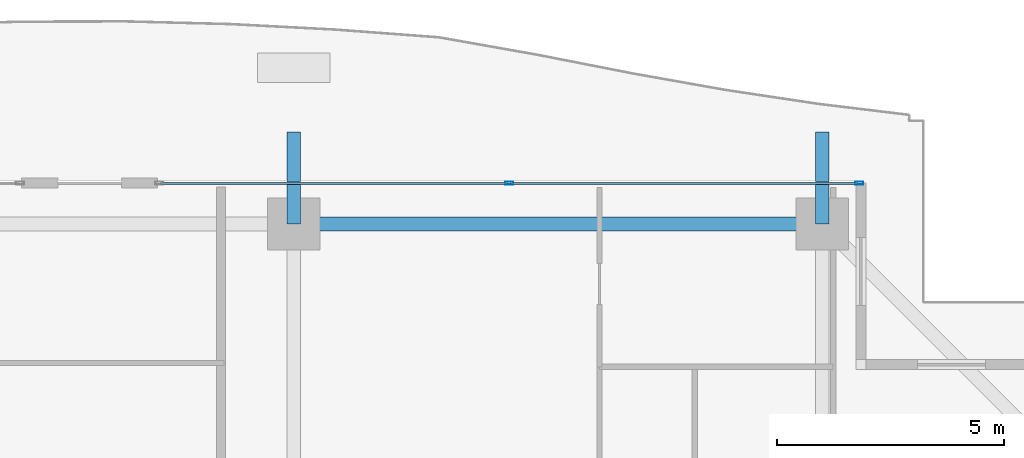
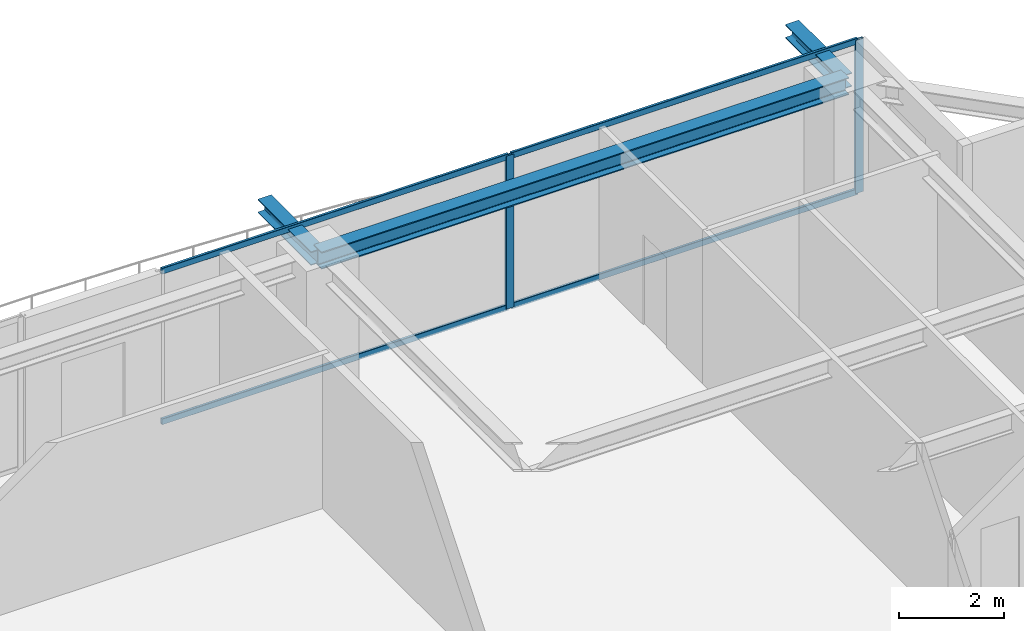
# One storey, part 25 of 38: 6 members, 3 beams, 1 element without a shape of its own.
"""IFC4 building model written with IfcOpenShell, lengths in metres."""

from ifc_helpers import new_model, si_unit, direction, frame, origin, origin_2d, place, context, subcontext, project, spatial, hollow_rectangle, i_section, extrude, source, transform, mapped, material, layer, layer_set, material_profile, profile_set, type_object, element, aggregate, save


model = new_model("IFC4")

# Units and contexts
model_context = context("Model", 3, precision=1e-05, world=origin(), true_north=direction((0.0, 1.0)))
body_context = subcontext(model_context, "Body", "Model", "MODEL_VIEW")
ifc_project = project(units=[si_unit("LENGTHUNIT", "METRE"), si_unit("AREAUNIT", "SQUARE_METRE"), si_unit("VOLUMEUNIT", "CUBIC_METRE"), si_unit("PLANEANGLEUNIT", "RADIAN"), si_unit("MASSUNIT", "GRAM", prefix="KILO")], contexts=[model_context])

# Site, building, storey
site_placement = place(None, origin())
site = spatial("IfcSite", under=ifc_project, at=site_placement, CompositionType="ELEMENT")
building_placement = place(site_placement, origin())
building = spatial("IfcBuilding", under=site, at=building_placement, Name="Serunith Strait Residences", CompositionType="ELEMENT")
storey_placement = place(building_placement, frame((0.0, 0.0, 237.39990234375)))
storey = spatial("IfcBuildingStorey", under=building, at=storey_placement, Name="L59", CompositionType="ELEMENT", Elevation=237.39990234375)

# Beams
ifc_material_1 = material(Name="Steel S355J2", Category="steel")
ifc_material_profile_1 = material_profile(ifc_material_1, i_section(OverallWidth=0.300048828125, OverallDepth=0.39990234375, WebThickness=0.013427734375, FlangeThickness=0.02392578125, FilletRadius=0.027099609375, at=origin_2d()), Name="HEB 400")
ifc_profile_set_1 = profile_set([ifc_material_profile_1], Name="Steel S355J2")
beam_type_1 = type_object("IfcBeamType", Name="BM-HEB400", PredefinedType="BEAM", material=ifc_profile_set_1)
shared_shape_1 = source(origin(), body_context, "Body", "SweptSolid", [
    extrude(i_section(OverallWidth=0.300048828125, OverallDepth=0.39990234375, WebThickness=0.013427734375, FlangeThickness=0.02392578125, FilletRadius=0.027099609375, at=origin_2d()), origin(), (0.0, 0.0, 1.0), 11.650146484375),
])
beam_placement = place(storey_placement, frame((48.550048828125, 48.300048828125, 3.38720703125), z_axis=(-1.0, 0.0, 0.0), x_axis=(0.0, -1.0, 0.0)))
element("IfcBeam", 1, at=beam_placement, inside=storey, type_object=beam_type_1, Name="L59 Perimeter Ring Beam 09", PredefinedType="BEAM", context=body_context, shape_type="MappedRepresentation", body=[
    mapped(shared_shape_1, transform((0.0, 0.0, 0.0), scale=1.0)),
])
ifc_material_profile_2 = material_profile(ifc_material_1, i_section(OverallWidth=0.300048828125, OverallDepth=0.320068359375, WebThickness=0.011474609375, FlangeThickness=0.0205078125, FilletRadius=0.027099609375, at=origin_2d()), Name="HEB 320")
ifc_profile_set_2 = profile_set([ifc_material_profile_2], Name="Steel S355J2")
beam_type_2 = type_object("IfcBeamType", Name="BM-HEB320", PredefinedType="BEAM", material=ifc_profile_set_2)
shared_shape_2 = source(origin(), body_context, "Body", "SweptSolid", [
    extrude(i_section(OverallWidth=0.300048828125, OverallDepth=0.320068359375, WebThickness=0.011474609375, FlangeThickness=0.0205078125, FilletRadius=0.027099609375, at=origin_2d()), origin(), (0.0, 0.0, 1.0), 2.030029296875),
])
for number, where, z_axis, x_axis, name in (
    (2, (36.89990234375, 48.300048828125, 3.397216796875), (0.0, 1.0, 0.0), (-1.0, 0.0, 0.0), "L60 Cantilevered Balcony Rib TC-N3"),
    (3, (48.550048828125, 48.300048828125, 3.397216796875), (0.0, 1.0, 0.0), (-1.0, 0.0, 0.0), "L60 Cantilevered Balcony Rib TC-N4"),
):
    element("IfcBeam", number, at=place(storey_placement, frame(where, z_axis=z_axis, x_axis=x_axis)), inside=storey, type_object=beam_type_2, Name=name, PredefinedType="BEAM", context=body_context, shape_type="MappedRepresentation", body=[
        mapped(shared_shape_2, transform((0.0, 0.0, 0.0), scale=1.0)),
    ])

# Curtain wall, members
ifc_material_2 = material(Name="Pale-Champagne Anodised Aluminium", Category="aluminium")
ifc_layer = layer(ifc_material_2, 0.199951171875, Name="Pale-Champagne Anodised Aluminium")
ifc_layer_set = layer_set([ifc_layer], Name="Pale-Champagne Anodised Aluminium")
curtain_wall_type = type_object("IfcCurtainWallType", Name="CW-SYS4", PredefinedType="NOTDEFINED", material=ifc_layer_set)
curtain_wall_placement = place(storey_placement, origin())
curtain_wall = element("IfcCurtainWall", 4, at=curtain_wall_placement, inside=storey, type_object=curtain_wall_type, Name="L59 N Unitised Fritted Curtain Wall", PredefinedType="NOTDEFINED")
ifc_material_profile_3 = material_profile(ifc_material_2, hollow_rectangle(XDim=0.06005859375, YDim=0.139892578125, WallThickness=0.00341796875, InnerFilletRadius=0.00537109375, OuterFilletRadius=0.0087890625, at=origin_2d()), Name="ALU 140x60x3.5")
ifc_profile_set_3 = profile_set([ifc_material_profile_3], Name="Pale-Champagne Anodised Aluminium")
member_type_1 = type_object("IfcMemberType", Name="CW-SYS4-TRAN", PredefinedType="USERDEFINED", material=ifc_profile_set_3)
shared_shape_3 = source(origin(), body_context, "Body", "SweptSolid", [
    extrude(hollow_rectangle(XDim=0.06005859375, YDim=0.139892578125, WallThickness=0.00341796875, InnerFilletRadius=0.00537109375, OuterFilletRadius=0.0087890625, at=origin_2d()), origin(), (0.0, 0.0, 1.0), 7.65234375),
])
member_1_placement = place(storey_placement, frame((49.3349609375, 49.199951171875, 0.030029296875), z_axis=(-1.0, 0.0, 0.0), x_axis=(0.0, -1.0, 0.0)))
member_1 = element("IfcMember", 5, at=member_1_placement, type_object=member_type_1, Name="CW-4 transom 1.1", ObjectType="TRANSOM", PredefinedType="USERDEFINED", context=body_context, shape_type="MappedRepresentation", body=[
    mapped(shared_shape_3, transform((0.0, 0.0, 0.0), scale=1.0)),
])
member_2_placement = place(storey_placement, frame((49.3349609375, 49.199951171875, 3.545166015625), z_axis=(-1.0, 0.0, 0.0), x_axis=(0.0, -1.0, 0.0)))
member_2 = element("IfcMember", 6, at=member_2_placement, type_object=member_type_1, Name="CW-4 transom 1.2", ObjectType="TRANSOM", PredefinedType="USERDEFINED", context=body_context, shape_type="MappedRepresentation", body=[
    mapped(shared_shape_3, transform((0.0, 0.0, 0.0), scale=1.0)),
])
member_3_placement = place(storey_placement, frame((41.617431640625, 49.199951171875, 0.030029296875), z_axis=(-1.0, 0.0, 0.0), x_axis=(0.0, -1.0, 0.0)))
member_3 = element("IfcMember", 7, at=member_3_placement, type_object=member_type_1, Name="CW-4 transom 2.1", ObjectType="TRANSOM", PredefinedType="USERDEFINED", context=body_context, shape_type="MappedRepresentation", body=[
    mapped(shared_shape_3, transform((0.0, 0.0, 0.0), scale=1.0)),
])
member_4_placement = place(storey_placement, frame((41.617431640625, 49.199951171875, 3.545166015625), z_axis=(-1.0, 0.0, 0.0), x_axis=(0.0, -1.0, 0.0)))
member_4 = element("IfcMember", 8, at=member_4_placement, type_object=member_type_1, Name="CW-4 transom 2.2", ObjectType="TRANSOM", PredefinedType="USERDEFINED", context=body_context, shape_type="MappedRepresentation", body=[
    mapped(shared_shape_3, transform((0.0, 0.0, 0.0), scale=1.0)),
])
ifc_material_profile_4 = material_profile(ifc_material_2, hollow_rectangle(XDim=0.06494140625, YDim=0.179931640625, WallThickness=0.00341796875, InnerFilletRadius=0.00537109375, OuterFilletRadius=0.0087890625, at=origin_2d()), Name="ALU 180x65x3.5")
ifc_profile_set_4 = profile_set([ifc_material_profile_4], Name="Pale-Champagne Anodised Aluminium")
member_type_2 = type_object("IfcMemberType", Name="CW-SYS4-MULL", PredefinedType="MULLION", material=ifc_profile_set_4)
shared_shape_4 = source(origin(), body_context, "Body", "SweptSolid", [
    extrude(hollow_rectangle(XDim=0.06494140625, YDim=0.179931640625, WallThickness=0.00341796875, InnerFilletRadius=0.00537109375, OuterFilletRadius=0.0087890625, at=origin_2d()), origin(), (0.0, 0.0, 1.0), 3.5751953125),
])
member_5_placement = place(storey_placement, frame((49.367431640625, 49.199951171875, 0.0), z_axis=(0.0, 0.0, 1.0), x_axis=(0.0, -1.0, 0.0)))
member_5 = element("IfcMember", 9, at=member_5_placement, type_object=member_type_2, Name="CW-4 mullion 1", PredefinedType="MULLION", context=body_context, shape_type="MappedRepresentation", body=[
    mapped(shared_shape_4, transform((0.0, 0.0, 0.0), scale=1.0)),
])
member_6_placement = place(storey_placement, frame((41.64990234375, 49.199951171875, 0.0), z_axis=(0.0, 0.0, 1.0), x_axis=(0.0, -1.0, 0.0)))
member_6 = element("IfcMember", 10, at=member_6_placement, type_object=member_type_2, Name="CW-4 mullion 2", PredefinedType="MULLION", context=body_context, shape_type="MappedRepresentation", body=[
    mapped(shared_shape_4, transform((0.0, 0.0, 0.0), scale=1.0)),
])
aggregate(curtain_wall, [member_5, member_6, member_1, member_2, member_3, member_4])

save(model, "model.ifc")
